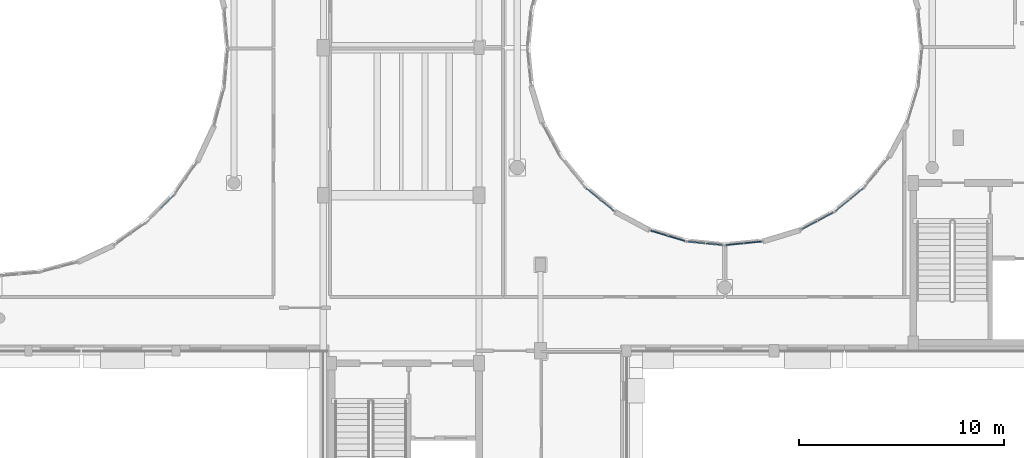
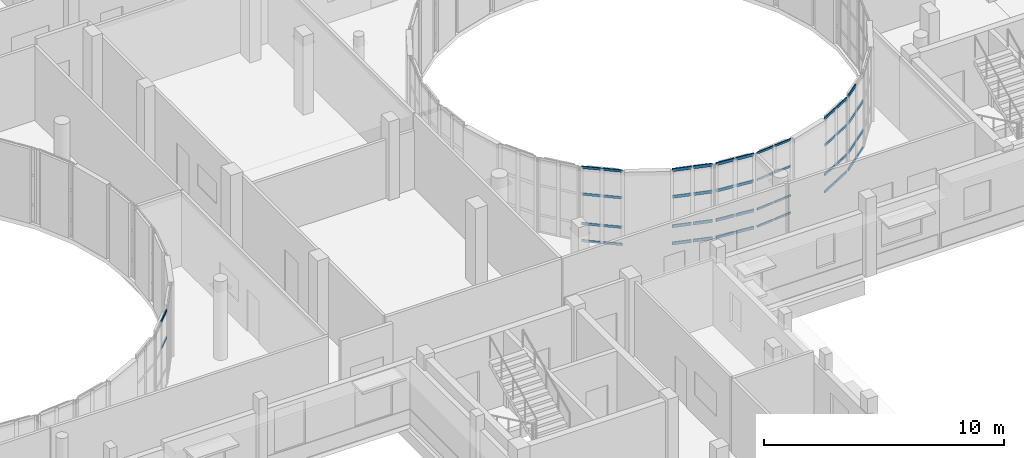
# One storey, part 48 of 92: 49 members, 7 elements without a shape of their own.
"""IFC4 building model written with IfcOpenShell, lengths in metres."""

from ifc_helpers import new_model, si_unit, direction, frame, origin, origin_2d, place, context, subcontext, project, spatial, hollow_rectangle, extrude, material, layer, layer_set, material_profile, profile_set, type_object, element, aggregate, save


model = new_model("IFC4")

# Units and contexts
model_context = context("Model", 3, precision=1e-05, world=origin(), true_north=direction((0.0, 1.0)))
body_context = subcontext(model_context, "Body", "Model", "MODEL_VIEW")
ifc_project = project(units=[si_unit("LENGTHUNIT", "METRE"), si_unit("AREAUNIT", "SQUARE_METRE"), si_unit("VOLUMEUNIT", "CUBIC_METRE"), si_unit("PLANEANGLEUNIT", "RADIAN"), si_unit("MASSUNIT", "GRAM", prefix="KILO")], contexts=[model_context])

# Site, building, storey
site_placement = place(None, origin())
site = spatial("IfcSite", under=ifc_project, at=site_placement, CompositionType="ELEMENT")
building_placement = place(site_placement, origin())
building = spatial("IfcBuilding", under=site, at=building_placement, Name="Kelanivale Promenade Academy", CompositionType="ELEMENT")
storey_placement = place(building_placement, frame((0.0, 0.0, 8.199951171875)))
storey = spatial("IfcBuildingStorey", under=building, at=storey_placement, Name="L02", CompositionType="ELEMENT", Elevation=8.199951171875)

# Curtain wall, members
ifc_material_1 = material(Name="Bronze anodised aluminium and solar-control low-E glass", Category="aluminium")
ifc_layer_1 = layer(ifc_material_1, 0.169921875)
ifc_layer_set_1 = layer_set([ifc_layer_1], Name="Bronze anodised aluminium and solar-control low-E glass")
curtain_wall_type_1 = type_object("IfcCurtainWallType", Name="CW-01 Curtain Wall 1350mm Module", PredefinedType="USERDEFINED", material=ifc_layer_set_1)
curtain_wall_1_placement = place(storey_placement, origin())
curtain_wall_1 = element("IfcCurtainWall", 1, at=curtain_wall_1_placement, inside=storey, type_object=curtain_wall_type_1, Name="L02 courtyard curtain wall CW-01", ObjectType="UNITISED GLAZING", PredefinedType="USERDEFINED")
ifc_material_2 = material(Name="Bronze anodised aluminium EN AW-6063 T6", Category="aluminium")
ifc_material_profile_1 = material_profile(ifc_material_2, hollow_rectangle(XDim=0.050048828125, YDim=0.10009765625, WallThickness=0.0029296875, at=origin_2d()), Name="ALU 50x100x3.0")
ifc_profile_set_1 = profile_set([ifc_material_profile_1], Name="Bronze anodised aluminium EN AW-6063 T6")
member_type_1 = type_object("IfcMemberType", Name="CWT-01 ALU 50x100x3.0", PredefinedType="USERDEFINED", material=ifc_profile_set_1)
member_1_placement = place(storey_placement, frame((98.873779296875, 47.1669921875, 0.025146484375), z_axis=(0.995143929023, 0.098430485767, 0.0), x_axis=(-0.098430485767, 0.995143929023, 0.0)))
member_1 = element("IfcMember", 2, at=member_1_placement, type_object=member_type_1, Name="CW-01 transom 1.1", ObjectType="TRANSOM", PredefinedType="USERDEFINED", context=body_context, shape_type="SweptSolid", body=[
    extrude(hollow_rectangle(XDim=0.050048828125, YDim=0.10009765625, WallThickness=0.0029296875, at=origin_2d()), origin(), (0.0, 0.0, 1.0), 0.83349609375),
])
member_2_placement = place(storey_placement, frame((98.873779296875, 47.1669921875, 0.900146484375), z_axis=(0.995143929023, 0.098430485767, 0.0), x_axis=(-0.098430485767, 0.995143929023, 0.0)))
member_2 = element("IfcMember", 3, at=member_2_placement, type_object=member_type_1, Name="CW-01 transom 1.2", ObjectType="TRANSOM", PredefinedType="USERDEFINED", context=body_context, shape_type="SweptSolid", body=[
    extrude(hollow_rectangle(XDim=0.050048828125, YDim=0.10009765625, WallThickness=0.0029296875, at=origin_2d()), origin(), (0.0, 0.0, 1.0), 0.83349609375),
])
member_3_placement = place(storey_placement, frame((98.873779296875, 47.1669921875, 2.400146484375), z_axis=(0.995143929023, 0.098430485767, 0.0), x_axis=(-0.098430485767, 0.995143929023, 0.0)))
member_3 = element("IfcMember", 4, at=member_3_placement, type_object=member_type_1, Name="CW-01 transom 1.3", ObjectType="TRANSOM", PredefinedType="USERDEFINED", context=body_context, shape_type="SweptSolid", body=[
    extrude(hollow_rectangle(XDim=0.050048828125, YDim=0.10009765625, WallThickness=0.0029296875, at=origin_2d()), origin(), (0.0, 0.0, 1.0), 0.83349609375),
])
member_4_placement = place(storey_placement, frame((98.873779296875, 47.1669921875, 3.755126953125), z_axis=(0.995143929023, 0.098430485767, 0.0), x_axis=(-0.098430485767, 0.995143929023, 0.0)))
member_4 = element("IfcMember", 5, at=member_4_placement, type_object=member_type_1, Name="CW-01 transom 1.4", ObjectType="TRANSOM", PredefinedType="USERDEFINED", context=body_context, shape_type="SweptSolid", body=[
    extrude(hollow_rectangle(XDim=0.050048828125, YDim=0.10009765625, WallThickness=0.0029296875, at=origin_2d()), origin(), (0.0, 0.0, 1.0), 0.83349609375),
])
member_5_placement = place(storey_placement, frame((99.762939453125, 47.2548828125, 0.025146484375), z_axis=(0.99511519259, 0.098720582839, 0.0), x_axis=(-0.098720582839, 0.99511519259, 0.0)))
member_5 = element("IfcMember", 6, at=member_5_placement, type_object=member_type_1, Name="CW-01 transom 2.1", ObjectType="TRANSOM", PredefinedType="USERDEFINED", context=body_context, shape_type="SweptSolid", body=[
    extrude(hollow_rectangle(XDim=0.050048828125, YDim=0.10009765625, WallThickness=0.0029296875, at=origin_2d()), origin(), (0.0, 0.0, 1.0), 0.83349609375),
])
member_6_placement = place(storey_placement, frame((99.762939453125, 47.2548828125, 0.900146484375), z_axis=(0.99511519259, 0.098720582839, 0.0), x_axis=(-0.098720582839, 0.99511519259, 0.0)))
member_6 = element("IfcMember", 7, at=member_6_placement, type_object=member_type_1, Name="CW-01 transom 2.2", ObjectType="TRANSOM", PredefinedType="USERDEFINED", context=body_context, shape_type="SweptSolid", body=[
    extrude(hollow_rectangle(XDim=0.050048828125, YDim=0.10009765625, WallThickness=0.0029296875, at=origin_2d()), origin(), (0.0, 0.0, 1.0), 0.83349609375),
])
member_7_placement = place(storey_placement, frame((99.762939453125, 47.2548828125, 2.400146484375), z_axis=(0.99511519259, 0.098720582839, 0.0), x_axis=(-0.098720582839, 0.99511519259, 0.0)))
member_7 = element("IfcMember", 8, at=member_7_placement, type_object=member_type_1, Name="CW-01 transom 2.3", ObjectType="TRANSOM", PredefinedType="USERDEFINED", context=body_context, shape_type="SweptSolid", body=[
    extrude(hollow_rectangle(XDim=0.050048828125, YDim=0.10009765625, WallThickness=0.0029296875, at=origin_2d()), origin(), (0.0, 0.0, 1.0), 0.83349609375),
])
member_8_placement = place(storey_placement, frame((99.762939453125, 47.2548828125, 3.755126953125), z_axis=(0.99511519259, 0.098720582839, 0.0), x_axis=(-0.098720582839, 0.99511519259, 0.0)))
member_8 = element("IfcMember", 9, at=member_8_placement, type_object=member_type_1, Name="CW-01 transom 2.4", ObjectType="TRANSOM", PredefinedType="USERDEFINED", context=body_context, shape_type="SweptSolid", body=[
    extrude(hollow_rectangle(XDim=0.050048828125, YDim=0.10009765625, WallThickness=0.0029296875, at=origin_2d()), origin(), (0.0, 0.0, 1.0), 0.83349609375),
])
aggregate(curtain_wall_1, [member_1, member_2, member_3, member_4, member_5, member_6, member_7, member_8])

ifc_layer_2 = layer(ifc_material_1, 0.169921875)
ifc_layer_set_2 = layer_set([ifc_layer_2], Name="Bronze anodised aluminium and solar-control low-E glass")
curtain_wall_type_2 = type_object("IfcCurtainWallType", Name="CW-22 Curtain Wall 1800mm Module", PredefinedType="USERDEFINED", material=ifc_layer_set_2)
curtain_wall_2_placement = place(storey_placement, origin())
curtain_wall_2 = element("IfcCurtainWall", 10, at=curtain_wall_2_placement, inside=storey, type_object=curtain_wall_type_2, Name="L02 courtyard curtain wall CW-22", ObjectType="COURTYARD SCREEN GLAZING", PredefinedType="USERDEFINED")
ifc_material_profile_2 = material_profile(ifc_material_2, hollow_rectangle(XDim=0.050048828125, YDim=0.1201171875, WallThickness=0.0029296875, at=origin_2d()), Name="ALU 50x120x3.0")
ifc_profile_set_2 = profile_set([ifc_material_profile_2], Name="Bronze anodised aluminium EN AW-6063 T6")
member_type_2 = type_object("IfcMemberType", Name="CWT-02 ALU 50x120x3.0", PredefinedType="USERDEFINED", material=ifc_profile_set_2)
member_9_placement = place(storey_placement, frame((92.039306640625, 49.93603515625, 0.025146484375), z_axis=(0.773239067778, -0.634114614295, 0.0), x_axis=(0.634114614295, 0.773239067778, 0.0)))
member_9 = element("IfcMember", 11, at=member_9_placement, type_object=member_type_2, Name="CW-22 transom 1.1", ObjectType="TRANSOM", PredefinedType="USERDEFINED", context=body_context, shape_type="SweptSolid", body=[
    extrude(hollow_rectangle(XDim=0.050048828125, YDim=0.1201171875, WallThickness=0.0029296875, at=origin_2d()), origin(), (0.0, 0.0, 1.0), 0.83349609375),
])
member_10_placement = place(storey_placement, frame((92.039306640625, 49.93603515625, 0.900146484375), z_axis=(0.773239067778, -0.634114614295, 0.0), x_axis=(0.634114614295, 0.773239067778, 0.0)))
member_10 = element("IfcMember", 12, at=member_10_placement, type_object=member_type_2, Name="CW-22 transom 1.2", ObjectType="TRANSOM", PredefinedType="USERDEFINED", context=body_context, shape_type="SweptSolid", body=[
    extrude(hollow_rectangle(XDim=0.050048828125, YDim=0.1201171875, WallThickness=0.0029296875, at=origin_2d()), origin(), (0.0, 0.0, 1.0), 0.83349609375),
])
member_11_placement = place(storey_placement, frame((92.039306640625, 49.93603515625, 2.400146484375), z_axis=(0.773239067778, -0.634114614295, 0.0), x_axis=(0.634114614295, 0.773239067778, 0.0)))
member_11 = element("IfcMember", 13, at=member_11_placement, type_object=member_type_2, Name="CW-22 transom 1.3", ObjectType="TRANSOM", PredefinedType="USERDEFINED", context=body_context, shape_type="SweptSolid", body=[
    extrude(hollow_rectangle(XDim=0.050048828125, YDim=0.1201171875, WallThickness=0.0029296875, at=origin_2d()), origin(), (0.0, 0.0, 1.0), 0.83349609375),
])
member_12_placement = place(storey_placement, frame((92.039306640625, 49.93603515625, 3.755126953125), z_axis=(0.773239067778, -0.634114614295, 0.0), x_axis=(0.634114614295, 0.773239067778, 0.0)))
member_12 = element("IfcMember", 14, at=member_12_placement, type_object=member_type_2, Name="CW-22 transom 1.4", ObjectType="TRANSOM", PredefinedType="USERDEFINED", context=body_context, shape_type="SweptSolid", body=[
    extrude(hollow_rectangle(XDim=0.050048828125, YDim=0.1201171875, WallThickness=0.0029296875, at=origin_2d()), origin(), (0.0, 0.0, 1.0), 0.83349609375),
])
member_13_placement = place(storey_placement, frame((92.730224609375, 49.369384765625, 0.025146484375), z_axis=(0.773264917111, -0.634083092319, 0.0), x_axis=(0.634083092319, 0.773264917111, 0.0)))
member_13 = element("IfcMember", 15, at=member_13_placement, type_object=member_type_2, Name="CW-22 transom 2.1", ObjectType="TRANSOM", PredefinedType="USERDEFINED", context=body_context, shape_type="SweptSolid", body=[
    extrude(hollow_rectangle(XDim=0.050048828125, YDim=0.1201171875, WallThickness=0.0029296875, at=origin_2d()), origin(), (0.0, 0.0, 1.0), 0.833251953125),
])
member_14_placement = place(storey_placement, frame((92.730224609375, 49.369384765625, 0.900146484375), z_axis=(0.773264917111, -0.634083092319, 0.0), x_axis=(0.634083092319, 0.773264917111, 0.0)))
member_14 = element("IfcMember", 16, at=member_14_placement, type_object=member_type_2, Name="CW-22 transom 2.2", ObjectType="TRANSOM", PredefinedType="USERDEFINED", context=body_context, shape_type="SweptSolid", body=[
    extrude(hollow_rectangle(XDim=0.050048828125, YDim=0.1201171875, WallThickness=0.0029296875, at=origin_2d()), origin(), (0.0, 0.0, 1.0), 0.833251953125),
])
member_15_placement = place(storey_placement, frame((92.730224609375, 49.369384765625, 2.400146484375), z_axis=(0.773264917111, -0.634083092319, 0.0), x_axis=(0.634083092319, 0.773264917111, 0.0)))
member_15 = element("IfcMember", 17, at=member_15_placement, type_object=member_type_2, Name="CW-22 transom 2.3", ObjectType="TRANSOM", PredefinedType="USERDEFINED", context=body_context, shape_type="SweptSolid", body=[
    extrude(hollow_rectangle(XDim=0.050048828125, YDim=0.1201171875, WallThickness=0.0029296875, at=origin_2d()), origin(), (0.0, 0.0, 1.0), 0.833251953125),
])
member_16_placement = place(storey_placement, frame((92.730224609375, 49.369384765625, 3.755126953125), z_axis=(0.773264917111, -0.634083092319, 0.0), x_axis=(0.634083092319, 0.773264917111, 0.0)))
member_16 = element("IfcMember", 18, at=member_16_placement, type_object=member_type_2, Name="CW-22 transom 2.4", ObjectType="TRANSOM", PredefinedType="USERDEFINED", context=body_context, shape_type="SweptSolid", body=[
    extrude(hollow_rectangle(XDim=0.050048828125, YDim=0.1201171875, WallThickness=0.0029296875, at=origin_2d()), origin(), (0.0, 0.0, 1.0), 0.833251953125),
])
aggregate(curtain_wall_2, [member_9, member_10, member_11, member_12, member_13, member_14, member_15, member_16])

ifc_layer_3 = layer(ifc_material_1, 0.179931640625)
ifc_layer_set_3 = layer_set([ifc_layer_3], Name="Bronze anodised aluminium and solar-control low-E glass")
curtain_wall_type_3 = type_object("IfcCurtainWallType", Name="CW-02 Curtain Wall 1500mm Module", PredefinedType="USERDEFINED", material=ifc_layer_set_3)
curtain_wall_3_placement = place(storey_placement, origin())
curtain_wall_3 = element("IfcCurtainWall", 19, at=curtain_wall_3_placement, inside=storey, type_object=curtain_wall_type_3, Name="L02 courtyard curtain wall CW-02", ObjectType="UNITISED GLAZING", PredefinedType="USERDEFINED")
member_17_placement = place(storey_placement, frame((102.56689453125, 47.935302734375, 0.025146484375), z_axis=(0.881979921347, 0.471286980873, 0.0), x_axis=(-0.471286980873, 0.881979921347, 0.0)))
member_17 = element("IfcMember", 20, at=member_17_placement, type_object=member_type_2, Name="CW-02 transom 1.1", ObjectType="TRANSOM", PredefinedType="USERDEFINED", context=body_context, shape_type="SweptSolid", body=[
    extrude(hollow_rectangle(XDim=0.050048828125, YDim=0.1201171875, WallThickness=0.0029296875, at=origin_2d()), origin(), (0.0, 0.0, 1.0), 0.833984375),
])
member_18_placement = place(storey_placement, frame((102.56689453125, 47.935302734375, 0.900146484375), z_axis=(0.881979921347, 0.471286980873, 0.0), x_axis=(-0.471286980873, 0.881979921347, 0.0)))
member_18 = element("IfcMember", 21, at=member_18_placement, type_object=member_type_2, Name="CW-02 transom 1.2", ObjectType="TRANSOM", PredefinedType="USERDEFINED", context=body_context, shape_type="SweptSolid", body=[
    extrude(hollow_rectangle(XDim=0.050048828125, YDim=0.1201171875, WallThickness=0.0029296875, at=origin_2d()), origin(), (0.0, 0.0, 1.0), 0.833984375),
])
member_19_placement = place(storey_placement, frame((102.56689453125, 47.935302734375, 2.400146484375), z_axis=(0.881979921347, 0.471286980873, 0.0), x_axis=(-0.471286980873, 0.881979921347, 0.0)))
member_19 = element("IfcMember", 22, at=member_19_placement, type_object=member_type_2, Name="CW-02 transom 1.3", ObjectType="TRANSOM", PredefinedType="USERDEFINED", context=body_context, shape_type="SweptSolid", body=[
    extrude(hollow_rectangle(XDim=0.050048828125, YDim=0.1201171875, WallThickness=0.0029296875, at=origin_2d()), origin(), (0.0, 0.0, 1.0), 0.833984375),
])
member_20_placement = place(storey_placement, frame((102.56689453125, 47.935302734375, 3.755126953125), z_axis=(0.881979921347, 0.471286980873, 0.0), x_axis=(-0.471286980873, 0.881979921347, 0.0)))
member_20 = element("IfcMember", 23, at=member_20_placement, type_object=member_type_2, Name="CW-02 transom 1.4", ObjectType="TRANSOM", PredefinedType="USERDEFINED", context=body_context, shape_type="SweptSolid", body=[
    extrude(hollow_rectangle(XDim=0.050048828125, YDim=0.1201171875, WallThickness=0.0029296875, at=origin_2d()), origin(), (0.0, 0.0, 1.0), 0.833984375),
])
member_21_placement = place(storey_placement, frame((103.35546875, 48.356689453125, 0.025146484375), z_axis=(0.881979921347, 0.471286980873, 0.0), x_axis=(-0.471286980873, 0.881979921347, 0.0)))
member_21 = element("IfcMember", 24, at=member_21_placement, type_object=member_type_2, Name="CW-02 transom 2.1", ObjectType="TRANSOM", PredefinedType="USERDEFINED", context=body_context, shape_type="SweptSolid", body=[
    extrude(hollow_rectangle(XDim=0.050048828125, YDim=0.1201171875, WallThickness=0.0029296875, at=origin_2d()), origin(), (0.0, 0.0, 1.0), 0.833984375),
])
member_22_placement = place(storey_placement, frame((103.35546875, 48.356689453125, 0.900146484375), z_axis=(0.881979921347, 0.471286980873, 0.0), x_axis=(-0.471286980873, 0.881979921347, 0.0)))
member_22 = element("IfcMember", 25, at=member_22_placement, type_object=member_type_2, Name="CW-02 transom 2.2", ObjectType="TRANSOM", PredefinedType="USERDEFINED", context=body_context, shape_type="SweptSolid", body=[
    extrude(hollow_rectangle(XDim=0.050048828125, YDim=0.1201171875, WallThickness=0.0029296875, at=origin_2d()), origin(), (0.0, 0.0, 1.0), 0.833984375),
])
member_23_placement = place(storey_placement, frame((103.35546875, 48.356689453125, 2.400146484375), z_axis=(0.881979921347, 0.471286980873, 0.0), x_axis=(-0.471286980873, 0.881979921347, 0.0)))
member_23 = element("IfcMember", 26, at=member_23_placement, type_object=member_type_2, Name="CW-02 transom 2.3", ObjectType="TRANSOM", PredefinedType="USERDEFINED", context=body_context, shape_type="SweptSolid", body=[
    extrude(hollow_rectangle(XDim=0.050048828125, YDim=0.1201171875, WallThickness=0.0029296875, at=origin_2d()), origin(), (0.0, 0.0, 1.0), 0.833984375),
])
member_24_placement = place(storey_placement, frame((103.35546875, 48.356689453125, 3.755126953125), z_axis=(0.881979921347, 0.471286980873, 0.0), x_axis=(-0.471286980873, 0.881979921347, 0.0)))
member_24 = element("IfcMember", 27, at=member_24_placement, type_object=member_type_2, Name="CW-02 transom 2.4", ObjectType="TRANSOM", PredefinedType="USERDEFINED", context=body_context, shape_type="SweptSolid", body=[
    extrude(hollow_rectangle(XDim=0.050048828125, YDim=0.1201171875, WallThickness=0.0029296875, at=origin_2d()), origin(), (0.0, 0.0, 1.0), 0.833984375),
])
aggregate(curtain_wall_3, [member_17, member_18, member_19, member_20, member_21, member_22, member_23, member_24])

ifc_layer_4 = layer(ifc_material_1, 0.159912109375)
ifc_layer_set_4 = layer_set([ifc_layer_4], Name="Bronze anodised aluminium and solar-control low-E glass")
curtain_wall_type_4 = type_object("IfcCurtainWallType", Name="CW-06 Curtain Wall 1200mm Module", PredefinedType="USERDEFINED", material=ifc_layer_set_4)
curtain_wall_4_placement = place(storey_placement, origin())
curtain_wall_4 = element("IfcCurtainWall", 28, at=curtain_wall_4_placement, inside=storey, type_object=curtain_wall_type_4, Name="L02 courtyard curtain wall CW-06", ObjectType="UNITISED GLAZING", PredefinedType="USERDEFINED")
member_25_placement = place(storey_placement, frame((71.268798828125, 48.9736328125, 2.400146484375), z_axis=(0.706966161367, 0.707247373047, 0.0), x_axis=(-0.707247373047, 0.706966161367, 0.0)))
member_25 = element("IfcMember", 29, at=member_25_placement, type_object=member_type_2, Name="CW-06 transom 2.3", ObjectType="TRANSOM", PredefinedType="USERDEFINED", context=body_context, shape_type="SweptSolid", body=[
    extrude(hollow_rectangle(XDim=0.050048828125, YDim=0.1201171875, WallThickness=0.0029296875, at=origin_2d()), origin(), (0.0, 0.0, 1.0), 0.8681640625),
])
member_26_placement = place(storey_placement, frame((71.268798828125, 48.9736328125, 3.755126953125), z_axis=(0.706966161367, 0.707247373047, 0.0), x_axis=(-0.707247373047, 0.706966161367, 0.0)))
member_26 = element("IfcMember", 30, at=member_26_placement, type_object=member_type_2, Name="CW-06 transom 2.4", ObjectType="TRANSOM", PredefinedType="USERDEFINED", context=body_context, shape_type="SweptSolid", body=[
    extrude(hollow_rectangle(XDim=0.050048828125, YDim=0.1201171875, WallThickness=0.0029296875, at=origin_2d()), origin(), (0.0, 0.0, 1.0), 0.8681640625),
])
aggregate(curtain_wall_4, [member_25, member_26])

ifc_layer_5 = layer(ifc_material_1, 0.179931640625)
ifc_layer_set_5 = layer_set([ifc_layer_5], Name="Bronze anodised aluminium and solar-control low-E glass")
curtain_wall_type_5 = type_object("IfcCurtainWallType", Name="CW-23 Curtain Wall 1950mm Module", PredefinedType="USERDEFINED", material=ifc_layer_set_5)
curtain_wall_5_placement = place(storey_placement, origin())
curtain_wall_5 = element("IfcCurtainWall", 31, at=curtain_wall_5_placement, inside=storey, type_object=curtain_wall_type_5, Name="L02 courtyard curtain wall CW-23", ObjectType="COURTYARD SCREEN GLAZING", PredefinedType="USERDEFINED")
ifc_material_profile_3 = material_profile(ifc_material_2, hollow_rectangle(XDim=0.050048828125, YDim=0.14990234375, WallThickness=0.00341796875, at=origin_2d()), Name="ALU 50x150x3.5")
ifc_profile_set_3 = profile_set([ifc_material_profile_3], Name="Bronze anodised aluminium EN AW-6063 T6")
member_type_3 = type_object("IfcMemberType", Name="CWT-03 ALU 50x150x3.5", PredefinedType="USERDEFINED", material=ifc_profile_set_3)
member_27_placement = place(storey_placement, frame((95.2001953125, 47.8662109375, 0.025146484375), z_axis=(0.956984636742, -0.290138596258, 0.0), x_axis=(0.290138596258, 0.956984636742, 0.0)))
member_27 = element("IfcMember", 32, at=member_27_placement, type_object=member_type_3, Name="CW-23 transom 1.1", ObjectType="TRANSOM", PredefinedType="USERDEFINED", context=body_context, shape_type="SweptSolid", body=[
    extrude(hollow_rectangle(XDim=0.050048828125, YDim=0.14990234375, WallThickness=0.00341796875, at=origin_2d()), origin(), (0.0, 0.0, 1.0), 0.826416015625),
])
member_28_placement = place(storey_placement, frame((95.2001953125, 47.8662109375, 0.900146484375), z_axis=(0.956984636742, -0.290138596258, 0.0), x_axis=(0.290138596258, 0.956984636742, 0.0)))
member_28 = element("IfcMember", 33, at=member_28_placement, type_object=member_type_3, Name="CW-23 transom 1.2", ObjectType="TRANSOM", PredefinedType="USERDEFINED", context=body_context, shape_type="SweptSolid", body=[
    extrude(hollow_rectangle(XDim=0.050048828125, YDim=0.14990234375, WallThickness=0.00341796875, at=origin_2d()), origin(), (0.0, 0.0, 1.0), 0.826416015625),
])
member_29_placement = place(storey_placement, frame((95.2001953125, 47.8662109375, 2.400146484375), z_axis=(0.956984636742, -0.290138596258, 0.0), x_axis=(0.290138596258, 0.956984636742, 0.0)))
member_29 = element("IfcMember", 34, at=member_29_placement, type_object=member_type_3, Name="CW-23 transom 1.3", ObjectType="TRANSOM", PredefinedType="USERDEFINED", context=body_context, shape_type="SweptSolid", body=[
    extrude(hollow_rectangle(XDim=0.050048828125, YDim=0.14990234375, WallThickness=0.00341796875, at=origin_2d()), origin(), (0.0, 0.0, 1.0), 0.826416015625),
])
member_30_placement = place(storey_placement, frame((95.2001953125, 47.8662109375, 3.755126953125), z_axis=(0.956984636742, -0.290138596258, 0.0), x_axis=(0.290138596258, 0.956984636742, 0.0)))
member_30 = element("IfcMember", 35, at=member_30_placement, type_object=member_type_3, Name="CW-23 transom 1.4", ObjectType="TRANSOM", PredefinedType="USERDEFINED", context=body_context, shape_type="SweptSolid", body=[
    extrude(hollow_rectangle(XDim=0.050048828125, YDim=0.14990234375, WallThickness=0.00341796875, at=origin_2d()), origin(), (0.0, 0.0, 1.0), 0.826416015625),
])
member_31_placement = place(storey_placement, frame((96.05322265625, 47.607666015625, 0.025146484375), z_axis=(0.956959754515, -0.290220654396, 0.0), x_axis=(0.290220654396, 0.956959754515, 0.0)))
member_31 = element("IfcMember", 36, at=member_31_placement, type_object=member_type_3, Name="CW-23 transom 2.1", ObjectType="TRANSOM", PredefinedType="USERDEFINED", context=body_context, shape_type="SweptSolid", body=[
    extrude(hollow_rectangle(XDim=0.050048828125, YDim=0.14990234375, WallThickness=0.00341796875, at=origin_2d()), origin(), (0.0, 0.0, 1.0), 0.826171875),
])
member_32_placement = place(storey_placement, frame((96.05322265625, 47.607666015625, 0.900146484375), z_axis=(0.956959754515, -0.290220654396, 0.0), x_axis=(0.290220654396, 0.956959754515, 0.0)))
member_32 = element("IfcMember", 37, at=member_32_placement, type_object=member_type_3, Name="CW-23 transom 2.2", ObjectType="TRANSOM", PredefinedType="USERDEFINED", context=body_context, shape_type="SweptSolid", body=[
    extrude(hollow_rectangle(XDim=0.050048828125, YDim=0.14990234375, WallThickness=0.00341796875, at=origin_2d()), origin(), (0.0, 0.0, 1.0), 0.826171875),
])
member_33_placement = place(storey_placement, frame((96.05322265625, 47.607666015625, 2.400146484375), z_axis=(0.956959754515, -0.290220654396, 0.0), x_axis=(0.290220654396, 0.956959754515, 0.0)))
member_33 = element("IfcMember", 38, at=member_33_placement, type_object=member_type_3, Name="CW-23 transom 2.3", ObjectType="TRANSOM", PredefinedType="USERDEFINED", context=body_context, shape_type="SweptSolid", body=[
    extrude(hollow_rectangle(XDim=0.050048828125, YDim=0.14990234375, WallThickness=0.00341796875, at=origin_2d()), origin(), (0.0, 0.0, 1.0), 0.826171875),
])
member_34_placement = place(storey_placement, frame((96.05322265625, 47.607666015625, 3.755126953125), z_axis=(0.956959754515, -0.290220654396, 0.0), x_axis=(0.290220654396, 0.956959754515, 0.0)))
member_34 = element("IfcMember", 39, at=member_34_placement, type_object=member_type_3, Name="CW-23 transom 2.4", ObjectType="TRANSOM", PredefinedType="USERDEFINED", context=body_context, shape_type="SweptSolid", body=[
    extrude(hollow_rectangle(XDim=0.050048828125, YDim=0.14990234375, WallThickness=0.00341796875, at=origin_2d()), origin(), (0.0, 0.0, 1.0), 0.826171875),
])
aggregate(curtain_wall_5, [member_27, member_28, member_29, member_30, member_31, member_32, member_33, member_34])

ifc_layer_6 = layer(ifc_material_1, 0.159912109375)
ifc_layer_set_6 = layer_set([ifc_layer_6], Name="Bronze anodised aluminium and solar-control low-E glass")
curtain_wall_type_6 = type_object("IfcCurtainWallType", Name="CW-03 Curtain Wall 1650mm Module", PredefinedType="USERDEFINED", material=ifc_layer_set_6)
curtain_wall_6_placement = place(storey_placement, origin())
curtain_wall_6 = element("IfcCurtainWall", 40, at=curtain_wall_6_placement, inside=storey, type_object=curtain_wall_type_6, Name="L02 courtyard curtain wall CW-03", ObjectType="UNITISED GLAZING", PredefinedType="USERDEFINED")
member_35_placement = place(storey_placement, frame((104.21728515625, 48.834228515625, 0.025146484375), z_axis=(0.773239067778, 0.634114614295, 0.0), x_axis=(-0.634114614295, 0.773239067778, 0.0)))
member_35 = element("IfcMember", 41, at=member_35_placement, type_object=member_type_3, Name="CW-03 transom 1.1", ObjectType="TRANSOM", PredefinedType="USERDEFINED", context=body_context, shape_type="SweptSolid", body=[
    extrude(hollow_rectangle(XDim=0.050048828125, YDim=0.14990234375, WallThickness=0.00341796875, at=origin_2d()), origin(), (0.0, 0.0, 1.0), 0.83349609375),
])
member_36_placement = place(storey_placement, frame((104.21728515625, 48.834228515625, 0.900146484375), z_axis=(0.773239067778, 0.634114614295, 0.0), x_axis=(-0.634114614295, 0.773239067778, 0.0)))
member_36 = element("IfcMember", 42, at=member_36_placement, type_object=member_type_3, Name="CW-03 transom 1.2", ObjectType="TRANSOM", PredefinedType="USERDEFINED", context=body_context, shape_type="SweptSolid", body=[
    extrude(hollow_rectangle(XDim=0.050048828125, YDim=0.14990234375, WallThickness=0.00341796875, at=origin_2d()), origin(), (0.0, 0.0, 1.0), 0.83349609375),
])
member_37_placement = place(storey_placement, frame((104.21728515625, 48.834228515625, 2.400146484375), z_axis=(0.773239067778, 0.634114614295, 0.0), x_axis=(-0.634114614295, 0.773239067778, 0.0)))
member_37 = element("IfcMember", 43, at=member_37_placement, type_object=member_type_3, Name="CW-03 transom 1.3", ObjectType="TRANSOM", PredefinedType="USERDEFINED", context=body_context, shape_type="SweptSolid", body=[
    extrude(hollow_rectangle(XDim=0.050048828125, YDim=0.14990234375, WallThickness=0.00341796875, at=origin_2d()), origin(), (0.0, 0.0, 1.0), 0.83349609375),
])
member_38_placement = place(storey_placement, frame((104.21728515625, 48.834228515625, 3.755126953125), z_axis=(0.773239067778, 0.634114614295, 0.0), x_axis=(-0.634114614295, 0.773239067778, 0.0)))
member_38 = element("IfcMember", 44, at=member_38_placement, type_object=member_type_3, Name="CW-03 transom 1.4", ObjectType="TRANSOM", PredefinedType="USERDEFINED", context=body_context, shape_type="SweptSolid", body=[
    extrude(hollow_rectangle(XDim=0.050048828125, YDim=0.14990234375, WallThickness=0.00341796875, at=origin_2d()), origin(), (0.0, 0.0, 1.0), 0.83349609375),
])
member_39_placement = place(storey_placement, frame((104.912109375, 49.404052734375, 0.025146484375), z_axis=(0.773095462401, 0.634289686197, 0.0), x_axis=(-0.634289686197, 0.773095462401, 0.0)))
member_39 = element("IfcMember", 45, at=member_39_placement, type_object=member_type_3, Name="CW-03 transom 2.1", ObjectType="TRANSOM", PredefinedType="USERDEFINED", context=body_context, shape_type="SweptSolid", body=[
    extrude(hollow_rectangle(XDim=0.050048828125, YDim=0.14990234375, WallThickness=0.00341796875, at=origin_2d()), origin(), (0.0, 0.0, 1.0), 0.833740234375),
])
member_40_placement = place(storey_placement, frame((104.912109375, 49.404052734375, 0.900146484375), z_axis=(0.773095462401, 0.634289686197, 0.0), x_axis=(-0.634289686197, 0.773095462401, 0.0)))
member_40 = element("IfcMember", 46, at=member_40_placement, type_object=member_type_3, Name="CW-03 transom 2.2", ObjectType="TRANSOM", PredefinedType="USERDEFINED", context=body_context, shape_type="SweptSolid", body=[
    extrude(hollow_rectangle(XDim=0.050048828125, YDim=0.14990234375, WallThickness=0.00341796875, at=origin_2d()), origin(), (0.0, 0.0, 1.0), 0.833740234375),
])
member_41_placement = place(storey_placement, frame((104.912109375, 49.404052734375, 2.400146484375), z_axis=(0.773095462401, 0.634289686197, 0.0), x_axis=(-0.634289686197, 0.773095462401, 0.0)))
member_41 = element("IfcMember", 47, at=member_41_placement, type_object=member_type_3, Name="CW-03 transom 2.3", ObjectType="TRANSOM", PredefinedType="USERDEFINED", context=body_context, shape_type="SweptSolid", body=[
    extrude(hollow_rectangle(XDim=0.050048828125, YDim=0.14990234375, WallThickness=0.00341796875, at=origin_2d()), origin(), (0.0, 0.0, 1.0), 0.833740234375),
])
aggregate(curtain_wall_6, [member_35, member_36, member_37, member_38, member_39, member_40, member_41])

ifc_layer_7 = layer(ifc_material_1, 0.159912109375)
ifc_layer_set_7 = layer_set([ifc_layer_7], Name="Bronze anodised aluminium and solar-control low-E glass")
curtain_wall_type_7 = type_object("IfcCurtainWallType", Name="CW-24 Curtain Wall 1200mm Module", PredefinedType="USERDEFINED", material=ifc_layer_set_7)
curtain_wall_7_placement = place(storey_placement, origin())
curtain_wall_7 = element("IfcCurtainWall", 48, at=curtain_wall_7_placement, inside=storey, type_object=curtain_wall_type_7, Name="L02 courtyard curtain wall CW-24", ObjectType="COURTYARD SCREEN GLAZING", PredefinedType="USERDEFINED")
ifc_material_profile_4 = material_profile(ifc_material_2, hollow_rectangle(XDim=0.06005859375, YDim=0.139892578125, WallThickness=0.00341796875, at=origin_2d()), Name="ALU 60x140x3.5")
ifc_profile_set_4 = profile_set([ifc_material_profile_4], Name="Bronze anodised aluminium EN AW-6063 T6")
member_type_4 = type_object("IfcMemberType", Name="CWT-04 ALU 60x140x3.5", PredefinedType="USERDEFINED", material=ifc_profile_set_4)
member_42_placement = place(storey_placement, frame((96.997802734375, 47.337646484375, 0.030029296875), z_axis=(0.995143929023, -0.098430485767, 0.0), x_axis=(0.098430485767, 0.995143929023, 0.0)))
member_42 = element("IfcMember", 49, at=member_42_placement, type_object=member_type_4, Name="CW-24 transom 1.1", ObjectType="TRANSOM", PredefinedType="USERDEFINED", context=body_context, shape_type="SweptSolid", body=[
    extrude(hollow_rectangle(XDim=0.06005859375, YDim=0.139892578125, WallThickness=0.00341796875, at=origin_2d()), origin(), (0.0, 0.0, 1.0), 0.83349609375),
])
member_43_placement = place(storey_placement, frame((96.997802734375, 47.337646484375, 0.900146484375), z_axis=(0.995143929023, -0.098430485767, 0.0), x_axis=(0.098430485767, 0.995143929023, 0.0)))
member_43 = element("IfcMember", 50, at=member_43_placement, type_object=member_type_4, Name="CW-24 transom 1.2", ObjectType="TRANSOM", PredefinedType="USERDEFINED", context=body_context, shape_type="SweptSolid", body=[
    extrude(hollow_rectangle(XDim=0.06005859375, YDim=0.139892578125, WallThickness=0.00341796875, at=origin_2d()), origin(), (0.0, 0.0, 1.0), 0.83349609375),
])
member_44_placement = place(storey_placement, frame((96.997802734375, 47.337646484375, 2.400146484375), z_axis=(0.995143929023, -0.098430485767, 0.0), x_axis=(0.098430485767, 0.995143929023, 0.0)))
member_44 = element("IfcMember", 51, at=member_44_placement, type_object=member_type_4, Name="CW-24 transom 1.3", ObjectType="TRANSOM", PredefinedType="USERDEFINED", context=body_context, shape_type="SweptSolid", body=[
    extrude(hollow_rectangle(XDim=0.06005859375, YDim=0.139892578125, WallThickness=0.00341796875, at=origin_2d()), origin(), (0.0, 0.0, 1.0), 0.83349609375),
])
member_45_placement = place(storey_placement, frame((96.997802734375, 47.337646484375, 3.75), z_axis=(0.995143929023, -0.098430485767, 0.0), x_axis=(0.098430485767, 0.995143929023, 0.0)))
member_45 = element("IfcMember", 52, at=member_45_placement, type_object=member_type_4, Name="CW-24 transom 1.4", ObjectType="TRANSOM", PredefinedType="USERDEFINED", context=body_context, shape_type="SweptSolid", body=[
    extrude(hollow_rectangle(XDim=0.06005859375, YDim=0.139892578125, WallThickness=0.00341796875, at=origin_2d()), origin(), (0.0, 0.0, 1.0), 0.83349609375),
])
member_46_placement = place(storey_placement, frame((97.891845703125, 47.249267578125, 0.030029296875), z_axis=(0.995175402921, -0.098111759852, 0.0), x_axis=(0.098111759852, 0.995175402921, 0.0)))
member_46 = element("IfcMember", 53, at=member_46_placement, type_object=member_type_4, Name="CW-24 transom 2.1", ObjectType="TRANSOM", PredefinedType="USERDEFINED", context=body_context, shape_type="SweptSolid", body=[
    extrude(hollow_rectangle(XDim=0.06005859375, YDim=0.139892578125, WallThickness=0.00341796875, at=origin_2d()), origin(), (0.0, 0.0, 1.0), 0.83349609375),
])
member_47_placement = place(storey_placement, frame((97.891845703125, 47.249267578125, 0.900146484375), z_axis=(0.995175402921, -0.098111759852, 0.0), x_axis=(0.098111759852, 0.995175402921, 0.0)))
member_47 = element("IfcMember", 54, at=member_47_placement, type_object=member_type_4, Name="CW-24 transom 2.2", ObjectType="TRANSOM", PredefinedType="USERDEFINED", context=body_context, shape_type="SweptSolid", body=[
    extrude(hollow_rectangle(XDim=0.06005859375, YDim=0.139892578125, WallThickness=0.00341796875, at=origin_2d()), origin(), (0.0, 0.0, 1.0), 0.83349609375),
])
member_48_placement = place(storey_placement, frame((97.891845703125, 47.249267578125, 2.400146484375), z_axis=(0.995175402921, -0.098111759852, 0.0), x_axis=(0.098111759852, 0.995175402921, 0.0)))
member_48 = element("IfcMember", 55, at=member_48_placement, type_object=member_type_4, Name="CW-24 transom 2.3", ObjectType="TRANSOM", PredefinedType="USERDEFINED", context=body_context, shape_type="SweptSolid", body=[
    extrude(hollow_rectangle(XDim=0.06005859375, YDim=0.139892578125, WallThickness=0.00341796875, at=origin_2d()), origin(), (0.0, 0.0, 1.0), 0.83349609375),
])
member_49_placement = place(storey_placement, frame((97.891845703125, 47.249267578125, 3.75), z_axis=(0.995175402921, -0.098111759852, 0.0), x_axis=(0.098111759852, 0.995175402921, 0.0)))
member_49 = element("IfcMember", 56, at=member_49_placement, type_object=member_type_4, Name="CW-24 transom 2.4", ObjectType="TRANSOM", PredefinedType="USERDEFINED", context=body_context, shape_type="SweptSolid", body=[
    extrude(hollow_rectangle(XDim=0.06005859375, YDim=0.139892578125, WallThickness=0.00341796875, at=origin_2d()), origin(), (0.0, 0.0, 1.0), 0.83349609375),
])
aggregate(curtain_wall_7, [member_42, member_43, member_44, member_45, member_46, member_47, member_48, member_49])

save(model, "model.ifc")
